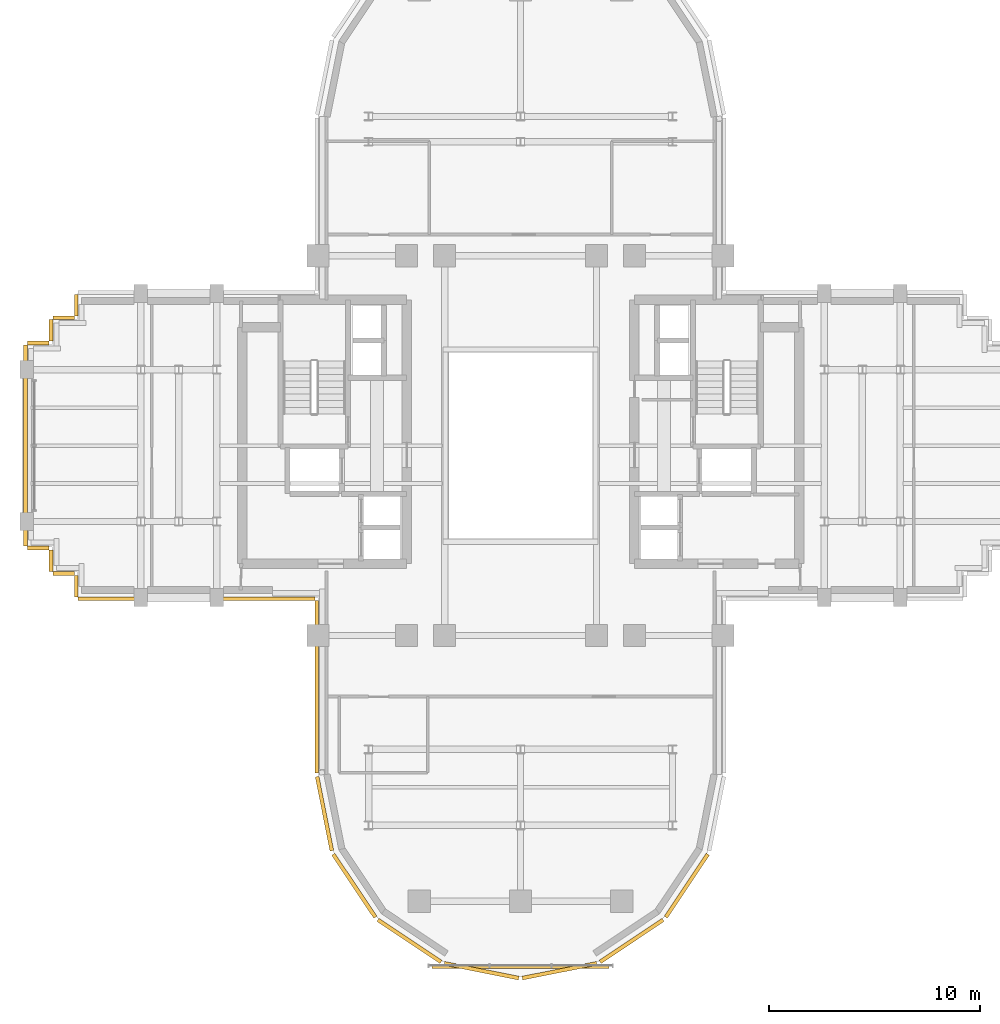
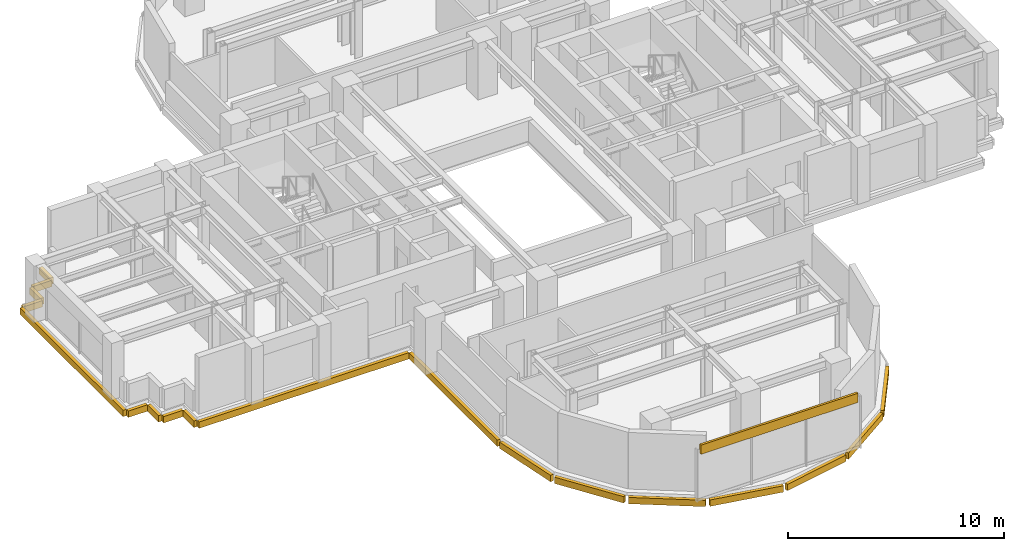
# One storey, part 11 of 13: 19 coverings.
"""IFC4 building model written with IfcOpenShell, lengths in metres."""

from ifc_helpers import new_model, si_unit, direction, frame, origin, origin_2d, place, context, subcontext, project, spatial, rectangle, extrude, source, transform, mapped, material, layer, layer_set, type_object, element, save


model = new_model("IFC4")

# Units and contexts
model_context = context("Model", 3, precision=1e-05, world=origin(), true_north=direction((0.0, 1.0)))
body_context = subcontext(model_context, "Body", "Model", "MODEL_VIEW")
ifc_project = project(units=[si_unit("LENGTHUNIT", "METRE"), si_unit("AREAUNIT", "SQUARE_METRE"), si_unit("VOLUMEUNIT", "CUBIC_METRE"), si_unit("PLANEANGLEUNIT", "RADIAN"), si_unit("MASSUNIT", "GRAM", prefix="KILO")], contexts=[model_context])

# Site, building, storey
site_placement = place(None, origin())
site = spatial("IfcSite", under=ifc_project, at=site_placement, CompositionType="ELEMENT")
building_placement = place(site_placement, origin())
building = spatial("IfcBuilding", under=site, at=building_placement, Name="Keilestroom Media Tower", CompositionType="ELEMENT")
storey_placement = place(building_placement, frame((0.0, 0.0, 138.0)))
storey = spatial("IfcBuildingStorey", under=building, at=storey_placement, Name="L37", CompositionType="ELEMENT", Elevation=138.0)

# Coverings
ifc_material = material(Name="Precast concrete C40/50", Category="concrete")
ifc_layer = layer(ifc_material, 0.1201171875)
ifc_layer_set = layer_set([ifc_layer], Name="Precast concrete C40/50")
covering_type = type_object("IfcCoveringType", Name="Exterior-Precast-Spandrel-Cladding-Panel-120", PredefinedType="CLADDING", material=ifc_layer_set)
shared_shape_1 = source(origin(), body_context, "Body", "SweptSolid", [
    extrude(rectangle(XDim=8.39990234375, YDim=0.1201171875, at=origin_2d()), origin(), (0.0, 0.0, 1.0), 0.52001953125),
])
covering_1_placement = place(storey_placement, frame((0.0, -24.719970703125, 2.68994140625), z_axis=(0.0, 0.0, 1.0), x_axis=(1.0, 0.0, 0.0)))
element("IfcCovering", 1, at=covering_1_placement, inside=storey, type_object=covering_type, Name="L37 Precast Spandrel Cladding S", PredefinedType="CLADDING", context=body_context, shape_type="MappedRepresentation", body=[
    mapped(shared_shape_1, transform((0.0, 0.0, 0.0), x_axis=(1.0, 0.0, 0.0), y_axis=(0.0, 1.0, 0.0), z_axis=(0.0, 0.0, 1.0), scale=1.0)),
])
shared_shape_2 = source(origin(), body_context, "Body", "SweptSolid", [
    extrude(rectangle(XDim=1.02001953125, YDim=0.179931640625, at=origin_2d()), origin(), (0.0, 0.0, 1.0), 0.360107421875),
])
for number, where, z_axis, x_axis, name in (
    (2, (-21.06005859375, -6.659912109375, -0.5400390625), (0.0, 0.0, 1.0), (0.0, 1.0, 0.0), "L37 Precast Slab-Edge Fascia Cornice 17"),
    (3, (-21.659912109375, -6.06005859375, -0.5400390625), (0.0, 0.0, 1.0), (-1.0, 0.0, 0.0), "L37 Precast Slab-Edge Fascia Cornice 18"),
    (4, (-22.260009765625, -5.4599609375, -0.5400390625), (0.0, 0.0, 1.0), (0.0, 1.0, 0.0), "L37 Precast Slab-Edge Fascia Cornice 19"),
    (5, (-22.860107421875, -4.860107421875, -0.5400390625), (0.0, 0.0, 1.0), (-1.0, 0.0, 0.0), "L37 Precast Slab-Edge Fascia Cornice 20"),
    (6, (-22.860107421875, 4.860107421875, -0.5400390625), (0.0, 0.0, 1.0), (1.0, 0.0, 0.0), "L37 Precast Slab-Edge Fascia Cornice 22"),
    (7, (-22.260009765625, 5.4599609375, -0.5400390625), (0.0, 0.0, 1.0), (0.0, 1.0, 0.0), "L37 Precast Slab-Edge Fascia Cornice 23"),
    (8, (-21.659912109375, 6.06005859375, -0.5400390625), (0.0, 0.0, 1.0), (1.0, 0.0, 0.0), "L37 Precast Slab-Edge Fascia Cornice 24"),
    (9, (-21.06005859375, 6.659912109375, -0.5400390625), (0.0, 0.0, 1.0), (0.0, 1.0, 0.0), "L37 Precast Slab-Edge Fascia Cornice 25"),
):
    element("IfcCovering", number, at=place(storey_placement, frame(where, z_axis=z_axis, x_axis=x_axis)), inside=storey, type_object=covering_type, Name=name, PredefinedType="CLADDING", context=body_context, shape_type="MappedRepresentation", body=[
        mapped(shared_shape_2, transform((0.0, 0.0, 0.0), x_axis=(1.0, 0.0, 0.0), y_axis=(0.0, 1.0, 0.0), z_axis=(0.0, 0.0, 1.0), scale=1.0)),
    ])
shared_shape_3 = source(origin(), body_context, "Body", "SweptSolid", [
    extrude(rectangle(XDim=8.166015625, YDim=0.179931640625, at=origin_2d()), origin(), (0.0, 0.0, 1.0), 0.360107421875),
])
covering_2_placement = place(storey_placement, frame((-9.659912109375, -11.43310546875, -0.5400390625), z_axis=(0.0, 0.0, 1.0), x_axis=(0.0, 1.0, 0.0)))
element("IfcCovering", 10, at=covering_2_placement, inside=storey, type_object=covering_type, Name="L37 Precast Slab-Edge Fascia Cornice 15", PredefinedType="CLADDING", context=body_context, shape_type="MappedRepresentation", body=[
    mapped(shared_shape_3, transform((0.0, 0.0, 0.0), x_axis=(1.0, 0.0, 0.0), y_axis=(0.0, 1.0, 0.0), z_axis=(0.0, 0.0, 1.0), scale=1.0)),
])
shared_shape_4 = source(origin(), body_context, "Body", "SweptSolid", [
    extrude(rectangle(XDim=3.58349609375, YDim=0.179931640625, at=origin_2d()), origin(), (0.0, 0.0, 1.0), 0.360107421875),
])
covering_3_placement = place(storey_placement, frame((-9.29296875, -17.45166015625, -0.5400390625), z_axis=(0.0, 0.0, 1.0), x_axis=(-0.195098880975, 0.980783577882, 0.0)))
element("IfcCovering", 11, at=covering_3_placement, inside=storey, type_object=covering_type, Name="L37 Precast Slab-Edge Fascia Cornice 14", PredefinedType="CLADDING", context=body_context, shape_type="MappedRepresentation", body=[
    mapped(shared_shape_4, transform((0.0, 0.0, 0.0), x_axis=(1.0, 0.0, 0.0), y_axis=(0.0, 1.0, 0.0), z_axis=(0.0, 0.0, 1.0), scale=1.0)),
])
shared_shape_5 = source(origin(), body_context, "Body", "SweptSolid", [
    extrude(rectangle(XDim=3.589599609375, YDim=0.179931640625, at=origin_2d()), origin(), (0.0, 0.0, 1.0), 0.360107421875),
])
for number, where, z_axis, x_axis, name in (
    (12, (7.878662109375, -20.8642578125, -0.5400390625), (0.0, 0.0, 1.0), (-0.555574586577, -0.831466703332, 0.0), "L37 Precast Slab-Edge Fascia Cornice 08"),
    (13, (5.264404296875, -23.478515625, -0.5400390625), (0.0, 0.0, 1.0), (-0.831466703332, -0.555574586577, 0.0), "L37 Precast Slab-Edge Fascia Cornice 09"),
    (14, (1.8486328125, -24.893310546875, -0.5400390625), (0.0, 0.0, 1.0), (-0.980783577882, -0.195098880975, 0.0), "L37 Precast Slab-Edge Fascia Cornice 10"),
    (15, (-1.8486328125, -24.893310546875, -0.5400390625), (0.0, 0.0, 1.0), (-0.980783577882, 0.195098880975, 0.0), "L37 Precast Slab-Edge Fascia Cornice 11"),
    (16, (-5.264404296875, -23.478515625, -0.5400390625), (0.0, 0.0, 1.0), (-0.831466703332, 0.555574586577, 0.0), "L37 Precast Slab-Edge Fascia Cornice 12"),
    (17, (-7.878662109375, -20.8642578125, -0.5400390625), (0.0, 0.0, 1.0), (-0.555574586577, 0.831466703332, 0.0), "L37 Precast Slab-Edge Fascia Cornice 13"),
):
    element("IfcCovering", number, at=place(storey_placement, frame(where, z_axis=z_axis, x_axis=x_axis)), inside=storey, type_object=covering_type, Name=name, PredefinedType="CLADDING", context=body_context, shape_type="MappedRepresentation", body=[
        mapped(shared_shape_5, transform((0.0, 0.0, 0.0), x_axis=(1.0, 0.0, 0.0), y_axis=(0.0, 1.0, 0.0), z_axis=(0.0, 0.0, 1.0), scale=1.0)),
    ])
shared_shape_6 = source(origin(), body_context, "Body", "SweptSolid", [
    extrude(rectangle(XDim=9.5400390625, YDim=0.179931640625, at=origin_2d()), origin(), (0.0, 0.0, 1.0), 0.360107421875),
])
covering_4_placement = place(storey_placement, frame((-23.4599609375, 0.0, -0.5400390625), z_axis=(0.0, 0.0, 1.0), x_axis=(0.0, 1.0, 0.0)))
element("IfcCovering", 18, at=covering_4_placement, inside=storey, type_object=covering_type, Name="L37 Precast Slab-Edge Fascia Cornice 21", PredefinedType="CLADDING", context=body_context, shape_type="MappedRepresentation", body=[
    mapped(shared_shape_6, transform((0.0, 0.0, 0.0), x_axis=(1.0, 0.0, 0.0), y_axis=(0.0, 1.0, 0.0), z_axis=(0.0, 0.0, 1.0), scale=1.0)),
])
shared_shape_7 = source(origin(), body_context, "Body", "SweptSolid", [
    extrude(rectangle(XDim=11.219970703125, YDim=0.179931640625, at=origin_2d()), origin(), (0.0, 0.0, 1.0), 0.360107421875),
])
covering_5_placement = place(storey_placement, frame((-15.360107421875, -7.260009765625, -0.5400390625), z_axis=(0.0, 0.0, 1.0), x_axis=(-1.0, 0.0, 0.0)))
element("IfcCovering", 19, at=covering_5_placement, inside=storey, type_object=covering_type, Name="L37 Precast Slab-Edge Fascia Cornice 16", PredefinedType="CLADDING", context=body_context, shape_type="MappedRepresentation", body=[
    mapped(shared_shape_7, transform((0.0, 0.0, 0.0), x_axis=(1.0, 0.0, 0.0), y_axis=(0.0, 1.0, 0.0), z_axis=(0.0, 0.0, 1.0), scale=1.0)),
])

save(model, "model.ifc")
